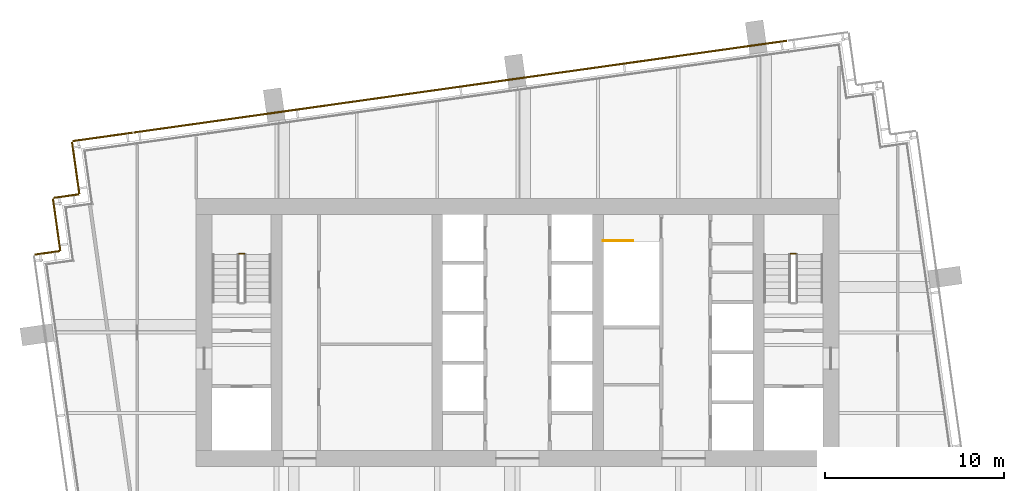
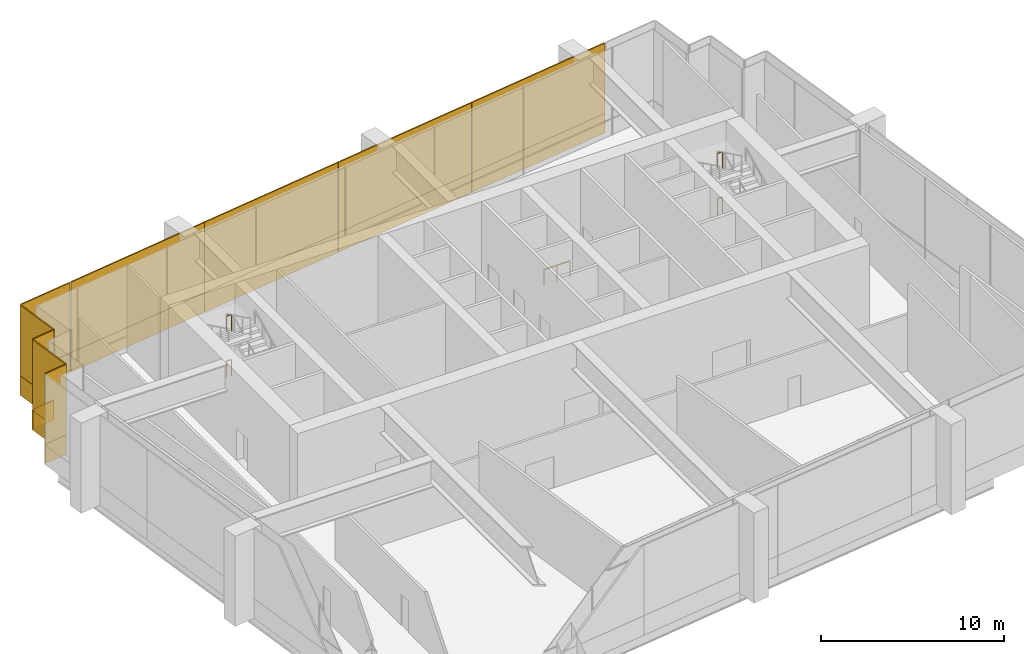
# One storey, part 24 of 25: 18 coverings, 5 railings.
"""IFC4 building model written with IfcOpenShell, lengths in metres."""

from ifc_helpers import new_model, si_unit, direction, frame, origin, origin_2d, place, context, subcontext, project, spatial, rectangle, extrude, material, layer, layer_set, type_object, element, save


model = new_model("IFC4")

# Units and contexts
model_context = context("Model", 3, precision=1e-05, world=origin(), true_north=direction((0.0, 1.0)))
body_context = subcontext(model_context, "Body", "Model", "MODEL_VIEW")
ifc_project = project(units=[si_unit("LENGTHUNIT", "METRE"), si_unit("AREAUNIT", "SQUARE_METRE"), si_unit("VOLUMEUNIT", "CUBIC_METRE"), si_unit("PLANEANGLEUNIT", "RADIAN"), si_unit("MASSUNIT", "GRAM", prefix="KILO")], contexts=[model_context])

# Site, building, storey
site_placement = place(None, origin())
site = spatial("IfcSite", under=ifc_project, at=site_placement, CompositionType="ELEMENT")
building_placement = place(site_placement, origin())
building = spatial("IfcBuilding", under=site, at=building_placement, Name="Rattan Terrace Tower", CompositionType="ELEMENT")
storey_placement = place(building_placement, frame((0.0, 0.0, 286.300048828125)))
storey = spatial("IfcBuildingStorey", under=building, at=storey_placement, Name="L66", CompositionType="ELEMENT", Elevation=286.300048828125)

# Railings
ifc_material_1 = material(Name="Powder-coated steel guard", Category="steel")
railing_type = type_object("IfcRailingType", Name="Core stair guard", PredefinedType="GUARDRAIL", material=ifc_material_1)
for number, where, name in (
    (1, (-15.300048828125, 4.409912109375, 1.5), "L66 S1 stair guard 2"),
    (2, (-15.300048828125, 4.409912109375, 4.5), "L66 S1 stair guard 6"),
    (3, (15.60009765625, 4.409912109375, 1.5), "L66 S2 stair guard 2"),
    (4, (15.60009765625, 4.409912109375, 4.5), "L66 S2 stair guard 6"),
):
    element("IfcRailing", number, at=place(storey_placement, frame(where)), inside=storey, type_object=railing_type, Name=name, PredefinedType="GUARDRAIL", context=body_context, shape_type="SweptSolid", body=[
        extrude(rectangle(XDim=0.048095703125, YDim=0.048095703125, at=origin_2d()), frame((0.0, 0.0, 1.076171875), z_axis=(-1.0, 0.0, 0.0), x_axis=(0.0, -1.0, 0.0)), (0.0, 0.0, 1.0), 0.300048828125),
        extrude(rectangle(XDim=0.0419921875, YDim=0.0419921875, at=origin_2d()), origin(), (0.0, 0.0, 1.0), 1.052001953125),
        extrude(rectangle(XDim=0.0419921875, YDim=0.0419921875, at=origin_2d()), frame((-0.300048828125, 0.0, 0.0)), (0.0, 0.0, 1.0), 1.052001953125),
    ])
railing_placement = place(storey_placement, frame((4.800048828125, 5.14990234375, 0.0)))
element("IfcRailing", 5, at=railing_placement, inside=storey, type_object=railing_type, Name="L66 S3 top well guard 1", PredefinedType="GUARDRAIL", context=body_context, shape_type="SweptSolid", body=[
    extrude(rectangle(XDim=0.048095703125, YDim=0.048095703125, at=origin_2d()), frame((0.0, 0.0, 1.076171875), z_axis=(1.0, 0.0, 0.0), x_axis=(0.0, 1.0, 0.0)), (0.0, 0.0, 1.0), 1.64990234375),
    extrude(rectangle(XDim=0.0419921875, YDim=0.0419921875, at=origin_2d()), origin(), (0.0, 0.0, 1.0), 1.052001953125),
    extrude(rectangle(XDim=0.0419921875, YDim=0.0419921875, at=origin_2d()), frame((0.824951171875, 0.0, 0.0)), (0.0, 0.0, 1.0), 1.052001953125),
    extrude(rectangle(XDim=0.0419921875, YDim=0.0419921875, at=origin_2d()), frame((1.64990234375, 0.0, 0.0)), (0.0, 0.0, 1.0), 1.052001953125),
])

# Coverings
ifc_material_2 = material(Name="Solid terracotta", Category="masonry")
ifc_layer_1 = layer(ifc_material_2, 0.090087890625)
ifc_layer_set_1 = layer_set([ifc_layer_1], Name="Facade Terracotta Band Panel HZ")
covering_type_1 = type_object("IfcCoveringType", Name="Facade Terracotta Band Panel HZ", PredefinedType="CLADDING", material=ifc_layer_set_1)
covering_1_placement = place(storey_placement, frame((10.516845703125, 15.70458984375, -0.18994140625), z_axis=(0.0, 0.0, 1.0), x_axis=(-0.990265894013, -0.139188574079, 0.0)))
element("IfcCovering", 6, at=covering_1_placement, inside=storey, type_object=covering_type_1, Name="OUTER SKIN panel L66-14A", PredefinedType="CLADDING", context=body_context, shape_type="SweptSolid", body=[
    extrude(rectangle(XDim=9.198974609375, YDim=0.090087890625, at=origin_2d()), origin(), (0.0, 0.0, 1.0), 1.300048828125),
])
for number, where, z_axis, x_axis, name in (
    (7, (1.372802734375, 14.41943359375, -0.18994140625), (0.0, 0.0, 1.0), (-0.990265894013, -0.139188574079, 0.0), "OUTER SKIN panel L66-15A"),
    (8, (-7.7861328125, 13.132080078125, -0.18994140625), (0.0, 0.0, 1.0), (-0.990265894013, -0.139188574079, 0.0), "OUTER SKIN panel L66-16A"),
):
    element("IfcCovering", number, at=place(storey_placement, frame(where, z_axis=z_axis, x_axis=x_axis)), inside=storey, type_object=covering_type_1, Name=name, PredefinedType="CLADDING", context=body_context, shape_type="SweptSolid", body=[
        extrude(rectangle(XDim=9.22900390625, YDim=0.090087890625, at=origin_2d()), origin(), (0.0, 0.0, 1.0), 1.300048828125),
    ])
covering_2_placement = place(storey_placement, frame((-16.932373046875, 11.846435546875, -0.18994140625), z_axis=(0.0, 0.0, 1.0), x_axis=(-0.990265894013, -0.139188574079, 0.0)))
element("IfcCovering", 9, at=covering_2_placement, inside=storey, type_object=covering_type_1, Name="OUTER SKIN panel L66-17A", PredefinedType="CLADDING", context=body_context, shape_type="SweptSolid", body=[
    extrude(rectangle(XDim=9.203125, YDim=0.090087890625, at=origin_2d()), origin(), (0.0, 0.0, 1.0), 1.300048828125),
])
covering_3_placement = place(storey_placement, frame((-23.237060546875, 10.960693359375, -0.18994140625), z_axis=(0.0, 0.0, 1.0), x_axis=(-0.990293172258, -0.138994363123, 0.0)))
element("IfcCovering", 10, at=covering_3_placement, inside=storey, type_object=covering_type_1, Name="OUTER SKIN panel L66-18A", PredefinedType="CLADDING", context=body_context, shape_type="SweptSolid", body=[
    extrude(rectangle(XDim=3.3701171875, YDim=0.090087890625, at=origin_2d()), origin(), (0.0, 0.0, 1.0), 1.300048828125),
])
covering_4_placement = place(storey_placement, frame((-24.74951171875, 9.218505859375, -0.18994140625), z_axis=(0.0, 0.0, 1.0), x_axis=(0.138994363123, -0.990293172258, 0.0)))
element("IfcCovering", 11, at=covering_4_placement, inside=storey, type_object=covering_type_1, Name="OUTER SKIN panel L66-19A", PredefinedType="CLADDING", context=body_context, shape_type="SweptSolid", body=[
    extrude(rectangle(XDim=2.92041015625, YDim=0.090087890625, at=origin_2d()), origin(), (0.0, 0.0, 1.0), 1.300048828125),
])
covering_5_placement = place(storey_placement, frame((-25.270751953125, 7.645263671875, -0.18994140625), z_axis=(0.0, 0.0, 1.0), x_axis=(-0.990240767803, -0.139367219175, 0.0)))
element("IfcCovering", 12, at=covering_5_placement, inside=storey, type_object=covering_type_1, Name="OUTER SKIN panel L66-20A", PredefinedType="CLADDING", context=body_context, shape_type="SweptSolid", body=[
    extrude(rectangle(XDim=1.419921875, YDim=0.090087890625, at=origin_2d()), origin(), (0.0, 0.0, 1.0), 1.300048828125),
])
covering_6_placement = place(storey_placement, frame((-25.817138671875, 6.038818359375, -0.18994140625), z_axis=(0.0, 0.0, 1.0), x_axis=(0.139367219175, -0.990240767803, 0.0)))
element("IfcCovering", 13, at=covering_6_placement, inside=storey, type_object=covering_type_1, Name="OUTER SKIN panel L66-21A", PredefinedType="CLADDING", context=body_context, shape_type="SweptSolid", body=[
    extrude(rectangle(XDim=2.919189453125, YDim=0.090087890625, at=origin_2d()), origin(), (0.0, 0.0, 1.0), 1.300048828125),
])
covering_7_placement = place(storey_placement, frame((-26.33837890625, 4.46630859375, -0.18994140625), z_axis=(0.0, 0.0, 1.0), x_axis=(-0.99025370695, -0.139275252184, 0.0)))
element("IfcCovering", 14, at=covering_7_placement, inside=storey, type_object=covering_type_1, Name="OUTER SKIN panel L66-22A", PredefinedType="CLADDING", context=body_context, shape_type="SweptSolid", body=[
    extrude(rectangle(XDim=1.420654296875, YDim=0.090087890625, at=origin_2d()), origin(), (0.0, 0.0, 1.0), 1.300048828125),
])
ifc_material_3 = material(Name="Perforated terracotta", Category="masonry")
ifc_layer_2 = layer(ifc_material_3, 0.080078125)
ifc_layer_set_2 = layer_set([ifc_layer_2], Name="Facade Terracotta Screen Panel HZ")
covering_type_2 = type_object("IfcCoveringType", Name="Facade Terracotta Screen Panel HZ", PredefinedType="CLADDING", material=ifc_layer_set_2)
covering_8_placement = place(storey_placement, frame((10.517578125, 15.69970703125, 1.10986328125), z_axis=(0.0, 0.0, 1.0), x_axis=(-0.990265894013, -0.139188574079, 0.0)))
element("IfcCovering", 15, at=covering_8_placement, inside=storey, type_object=covering_type_2, Name="OUTER SKIN panel L66-14B", PredefinedType="CLADDING", context=body_context, shape_type="SweptSolid", body=[
    extrude(rectangle(XDim=9.198974609375, YDim=0.080078125, at=origin_2d()), origin(), (0.0, 0.0, 1.0), 4.679931640625),
])
for number, where, z_axis, x_axis, name in (
    (16, (1.37353515625, 14.41455078125, 1.10986328125), (0.0, 0.0, 1.0), (-0.990265894013, -0.139188574079, 0.0), "OUTER SKIN panel L66-15B"),
    (17, (-7.785400390625, 13.127197265625, 1.10986328125), (0.0, 0.0, 1.0), (-0.990265894013, -0.139188574079, 0.0), "OUTER SKIN panel L66-16B"),
):
    element("IfcCovering", number, at=place(storey_placement, frame(where, z_axis=z_axis, x_axis=x_axis)), inside=storey, type_object=covering_type_2, Name=name, PredefinedType="CLADDING", context=body_context, shape_type="SweptSolid", body=[
        extrude(rectangle(XDim=9.22900390625, YDim=0.080078125, at=origin_2d()), origin(), (0.0, 0.0, 1.0), 4.679931640625),
    ])
covering_9_placement = place(storey_placement, frame((-16.931640625, 11.841552734375, 1.10986328125), z_axis=(0.0, 0.0, 1.0), x_axis=(-0.990265894013, -0.139188574079, 0.0)))
element("IfcCovering", 18, at=covering_9_placement, inside=storey, type_object=covering_type_2, Name="OUTER SKIN panel L66-17B", PredefinedType="CLADDING", context=body_context, shape_type="SweptSolid", body=[
    extrude(rectangle(XDim=9.203125, YDim=0.080078125, at=origin_2d()), origin(), (0.0, 0.0, 1.0), 4.679931640625),
])
covering_10_placement = place(storey_placement, frame((-23.236328125, 10.955810546875, 1.10986328125), z_axis=(0.0, 0.0, 1.0), x_axis=(-0.990293172258, -0.138994363123, 0.0)))
element("IfcCovering", 19, at=covering_10_placement, inside=storey, type_object=covering_type_2, Name="OUTER SKIN panel L66-18B", PredefinedType="CLADDING", context=body_context, shape_type="SweptSolid", body=[
    extrude(rectangle(XDim=3.3701171875, YDim=0.080078125, at=origin_2d()), origin(), (0.0, 0.0, 1.0), 4.679931640625),
])
covering_11_placement = place(storey_placement, frame((-24.74462890625, 9.218994140625, 1.10986328125), z_axis=(0.0, 0.0, 1.0), x_axis=(0.138994363123, -0.990293172258, 0.0)))
element("IfcCovering", 20, at=covering_11_placement, inside=storey, type_object=covering_type_2, Name="OUTER SKIN panel L66-19B", PredefinedType="CLADDING", context=body_context, shape_type="SweptSolid", body=[
    extrude(rectangle(XDim=2.92041015625, YDim=0.080078125, at=origin_2d()), origin(), (0.0, 0.0, 1.0), 4.679931640625),
])
covering_12_placement = place(storey_placement, frame((-25.27001953125, 7.640380859375, 1.10986328125), z_axis=(0.0, 0.0, 1.0), x_axis=(-0.990240767803, -0.139367219175, 0.0)))
element("IfcCovering", 21, at=covering_12_placement, inside=storey, type_object=covering_type_2, Name="OUTER SKIN panel L66-20B", PredefinedType="CLADDING", context=body_context, shape_type="SweptSolid", body=[
    extrude(rectangle(XDim=1.419921875, YDim=0.080078125, at=origin_2d()), origin(), (0.0, 0.0, 1.0), 4.679931640625),
])
covering_13_placement = place(storey_placement, frame((-25.812255859375, 6.03955078125, 1.10986328125), z_axis=(0.0, 0.0, 1.0), x_axis=(0.139367219175, -0.990240767803, 0.0)))
element("IfcCovering", 22, at=covering_13_placement, inside=storey, type_object=covering_type_2, Name="OUTER SKIN panel L66-21B", PredefinedType="CLADDING", context=body_context, shape_type="SweptSolid", body=[
    extrude(rectangle(XDim=2.919189453125, YDim=0.080078125, at=origin_2d()), origin(), (0.0, 0.0, 1.0), 4.679931640625),
])
covering_14_placement = place(storey_placement, frame((-26.337646484375, 4.46142578125, 1.10986328125), z_axis=(0.0, 0.0, 1.0), x_axis=(-0.99025370695, -0.139275252184, 0.0)))
element("IfcCovering", 23, at=covering_14_placement, inside=storey, type_object=covering_type_2, Name="OUTER SKIN panel L66-22B", PredefinedType="CLADDING", context=body_context, shape_type="SweptSolid", body=[
    extrude(rectangle(XDim=1.420654296875, YDim=0.080078125, at=origin_2d()), origin(), (0.0, 0.0, 1.0), 4.679931640625),
])

save(model, "model.ifc")
